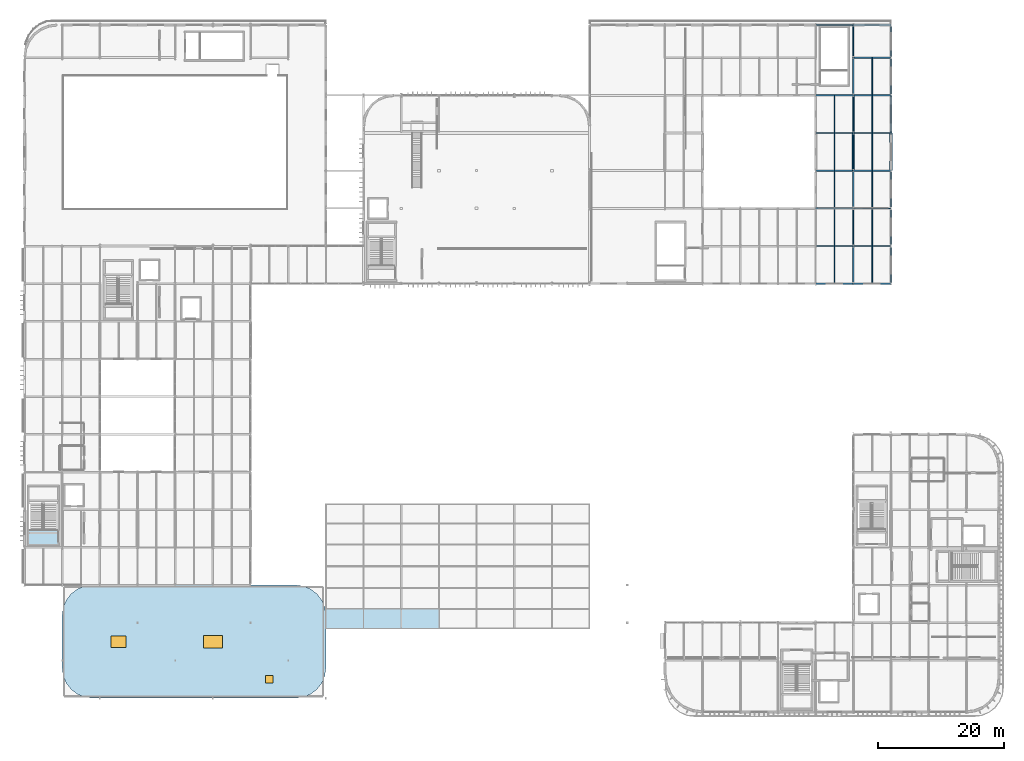
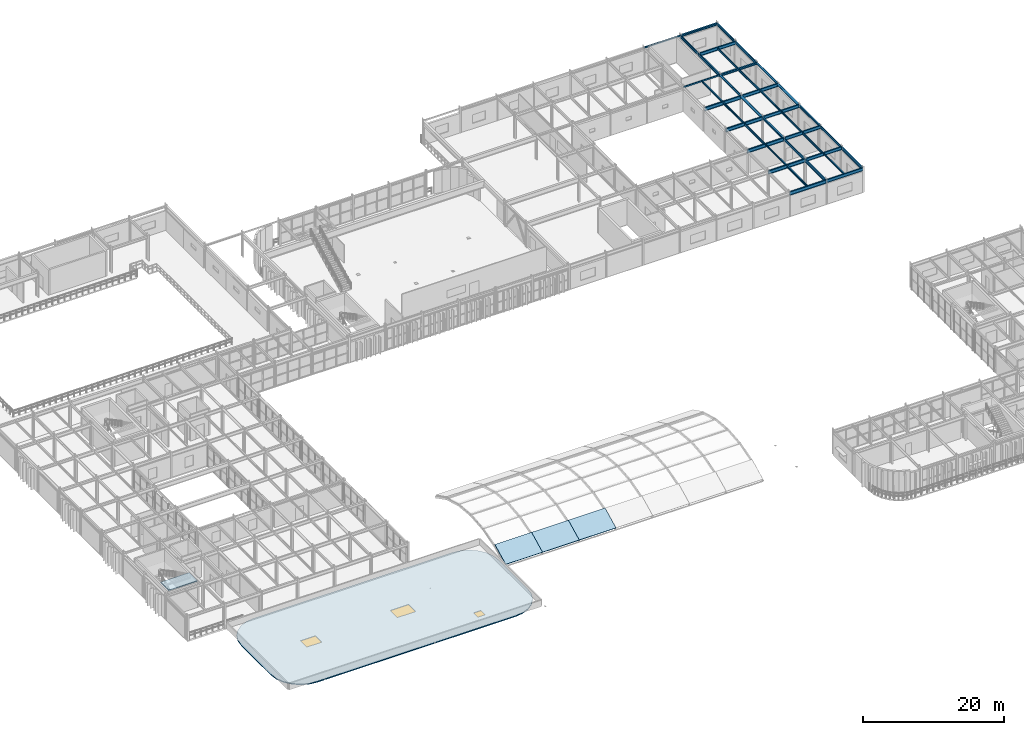
# One storey, part 45 of 84: 40 beams, 5 slabs, 2 windows, 1 door, 3 openings, 1 element without a shape of its own.
"""IFC4 building model written with IfcOpenShell, lengths in metres."""

from ifc_helpers import new_model, si_unit, direction, frame, origin, origin_2d, place, context, subcontext, project, spatial, polyline, rectangle, hollow_rectangle, hollow_circle, i_section, outline, extrude, material, layer, layer_set, material_profile, profile_set, type_object, element, fill, aggregate, save


model = new_model("IFC4")

# Units and contexts
model_context = context("Model", 3, precision=1e-05, world=origin(), true_north=direction((0.0, 1.0)))
body_context = subcontext(model_context, "Body", "Model", "MODEL_VIEW")
ifc_project = project(units=[si_unit("LENGTHUNIT", "METRE"), si_unit("AREAUNIT", "SQUARE_METRE"), si_unit("VOLUMEUNIT", "CUBIC_METRE"), si_unit("PLANEANGLEUNIT", "RADIAN"), si_unit("MASSUNIT", "GRAM", prefix="KILO")], contexts=[model_context])

# Site, building, storey
site_placement = place(None, origin())
site = spatial("IfcSite", under=ifc_project, at=site_placement, CompositionType="ELEMENT")
building_placement = place(site_placement, origin())
building = spatial("IfcBuilding", under=site, at=building_placement, Name="Varnakota Square Police Headquarters", CompositionType="ELEMENT")
storey_placement = place(building_placement, frame((0.0, 0.0, 13.5)))
storey = spatial("IfcBuildingStorey", under=building, at=storey_placement, Name="L03", CompositionType="ELEMENT", Elevation=13.5)

# Beams
ifc_material_1 = material(Name="Steel IS 2062 Grade 350", Category="steel")
ifc_material_profile_1 = material_profile(ifc_material_1, hollow_circle(Radius=0.161865234375, WallThickness=0.0126953125, at=origin_2d()), Name="CHS 323.9x12.7")
ifc_profile_set_1 = profile_set([ifc_material_profile_1], Name="Steel IS 2062 Grade 350")
beam_type_1 = type_object("IfcBeamType", Name="BM-ARC-CHS324", PredefinedType="BEAM", material=ifc_profile_set_1)
for number, where, z_axis, x_axis, name in (
    (1, (138.0, 93.0, 4.0380859375), (0.0, 1.0, 0.0), (-1.0, 0.0, 0.0), "BMG-L03-2724"),
    (2, (144.0, 93.0, 4.0380859375), (0.0, 1.0, 0.0), (-1.0, 0.0, 0.0), "BMG-L03-2738"),
):
    element("IfcBeam", number, at=place(storey_placement, frame(where, z_axis=z_axis, x_axis=x_axis)), inside=storey, type_object=beam_type_1, Name=name, PredefinedType="BEAM", context=body_context, shape_type="SweptSolid", body=[
        extrude(hollow_circle(Radius=0.161865234375, WallThickness=0.0126953125, at=origin_2d()), origin(), (0.0, 0.0, 1.0), 6.0),
    ])
ifc_material_profile_2 = material_profile(ifc_material_1, hollow_circle(Radius=0.203125, WallThickness=0.01611328125, at=origin_2d()), Name="CHS 406.4x16.0")
ifc_profile_set_2 = profile_set([ifc_material_profile_2], Name="Steel IS 2062 Grade 350")
beam_type_2 = type_object("IfcBeamType", Name="BM-ARC-CHS406", PredefinedType="BEAM", material=ifc_profile_set_2)
for number, where, z_axis, x_axis, name in (
    (3, (138.0, 87.0, 3.996826171875), (0.0, 1.0, 0.0), (-1.0, 0.0, 0.0), "BMG-L03-2723"),
    (4, (144.0, 87.0, 3.996826171875), (0.0, 1.0, 0.0), (-1.0, 0.0, 0.0), "BMG-L03-2737"),
):
    element("IfcBeam", number, at=place(storey_placement, frame(where, z_axis=z_axis, x_axis=x_axis)), inside=storey, type_object=beam_type_2, Name=name, PredefinedType="BEAM", context=body_context, shape_type="SweptSolid", body=[
        extrude(hollow_circle(Radius=0.203125, WallThickness=0.01611328125, at=origin_2d()), origin(), (0.0, 0.0, 1.0), 6.0),
    ])
ifc_material_profile_3 = material_profile(ifc_material_1, hollow_rectangle(XDim=0.14990234375, YDim=0.25, WallThickness=0.010009765625, InnerFilletRadius=0.010009765625, OuterFilletRadius=0.02001953125, at=origin_2d()), Name="RHS 250x150x10")
ifc_profile_set_3 = profile_set([ifc_material_profile_3], Name="Steel IS 2062 Grade 350")
beam_type_3 = type_object("IfcBeamType", Name="BM-CBEAM-RHS250", PredefinedType="BEAM", material=ifc_profile_set_3)
for number, where, z_axis, x_axis, name in (
    (5, (132.0, 99.0, 4.074951171875), (1.0, 0.0, 0.0), (0.0, 1.0, 0.0), "BMG-L03-2570"),
    (6, (132.0, 110.199951171875, 4.074951171875), (1.0, 0.0, 0.0), (0.0, 1.0, 0.0), "BMG-L03-2593"),
):
    element("IfcBeam", number, at=place(storey_placement, frame(where, z_axis=z_axis, x_axis=x_axis)), inside=storey, type_object=beam_type_3, Name=name, PredefinedType="BEAM", context=body_context, shape_type="SweptSolid", body=[
        extrude(hollow_rectangle(XDim=0.14990234375, YDim=0.25, WallThickness=0.010009765625, InnerFilletRadius=0.010009765625, OuterFilletRadius=0.02001953125, at=origin_2d()), origin(), (0.0, 0.0, 1.0), 6.0),
    ])
ifc_material_profile_4 = material_profile(ifc_material_1, i_section(OverallWidth=0.25, OverallDepth=0.35009765625, WebThickness=0.010009765625, FlangeThickness=0.01171875, FilletRadius=0.011962890625, at=origin_2d()), Name="ISHB 350")
ifc_profile_set_4 = profile_set([ifc_material_profile_4], Name="Steel IS 2062 Grade 350")
beam_type_4 = type_object("IfcBeamType", Name="BM-ISHB350", PredefinedType="BEAM", material=ifc_profile_set_4)
for number, where, z_axis, x_axis, name in (
    (7, (138.0, 99.0, 4.02490234375), (1.0, 0.0, 0.0), (0.0, 1.0, 0.0), "BMG-L03-2571"),
    (8, (138.0, 110.199951171875, 4.02490234375), (1.0, 0.0, 0.0), (0.0, 1.0, 0.0), "BMG-L03-2594"),
):
    element("IfcBeam", number, at=place(storey_placement, frame(where, z_axis=z_axis, x_axis=x_axis)), inside=storey, type_object=beam_type_4, Name=name, PredefinedType="BEAM", context=body_context, shape_type="SweptSolid", body=[
        extrude(i_section(OverallWidth=0.25, OverallDepth=0.35009765625, WebThickness=0.010009765625, FlangeThickness=0.01171875, FilletRadius=0.011962890625, at=origin_2d()), origin(), (0.0, 0.0, 1.0), 6.0),
    ])
ifc_material_profile_5 = material_profile(ifc_material_1, i_section(OverallWidth=0.139892578125, OverallDepth=0.300048828125, WebThickness=0.0078125, FlangeThickness=0.01318359375, FilletRadius=0.013916015625, at=origin_2d()), Name="ISMB 300")
ifc_profile_set_5 = profile_set([ifc_material_profile_5], Name="Steel IS 2062 Grade 350")
beam_type_5 = type_object("IfcBeamType", Name="BM-ISMB300", PredefinedType="JOIST", material=ifc_profile_set_5)
beam_1_placement = place(storey_placement, frame((135.0, 75.10302734375, 4.050048828125), z_axis=(0.0, 1.0, 0.0), x_axis=(-1.0, 0.0, 0.0)))
element("IfcBeam", 9, at=beam_1_placement, inside=storey, type_object=beam_type_5, Name="BMG-L03-2819", PredefinedType="JOIST", context=body_context, shape_type="SweptSolid", body=[
    extrude(i_section(OverallWidth=0.139892578125, OverallDepth=0.300048828125, WebThickness=0.0078125, FlangeThickness=0.01318359375, FilletRadius=0.013916015625, at=origin_2d()), origin(), (0.0, 0.0, 1.0), 5.7939453125),
])
beam_2_placement = place(storey_placement, frame((135.0, 93.10302734375, 4.050048828125), z_axis=(0.0, 1.0, 0.0), x_axis=(-1.0, 0.0, 0.0)))
element("IfcBeam", 10, at=beam_2_placement, inside=storey, type_object=beam_type_5, Name="BMG-L03-2822", PredefinedType="JOIST", context=body_context, shape_type="SweptSolid", body=[
    extrude(i_section(OverallWidth=0.139892578125, OverallDepth=0.300048828125, WebThickness=0.0078125, FlangeThickness=0.01318359375, FilletRadius=0.013916015625, at=origin_2d()), origin(), (0.0, 0.0, 1.0), 5.823974609375),
])
for number, where, z_axis, x_axis, name in (
    (11, (141.0, 69.093017578125, 4.050048828125), (0.0, 1.0, 0.0), (-1.0, 0.0, 0.0), "BMG-L03-2826"),
    (12, (141.0, 87.093017578125, 4.050048828125), (0.0, 1.0, 0.0), (-1.0, 0.0, 0.0), "BMG-L03-2829"),
):
    element("IfcBeam", number, at=place(storey_placement, frame(where, z_axis=z_axis, x_axis=x_axis)), inside=storey, type_object=beam_type_5, Name=name, PredefinedType="JOIST", context=body_context, shape_type="SweptSolid", body=[
        extrude(i_section(OverallWidth=0.139892578125, OverallDepth=0.300048828125, WebThickness=0.0078125, FlangeThickness=0.01318359375, FilletRadius=0.013916015625, at=origin_2d()), origin(), (0.0, 0.0, 1.0), 5.81396484375),
    ])
ifc_material_profile_6 = material_profile(ifc_material_1, i_section(OverallWidth=0.139892578125, OverallDepth=0.35009765625, WebThickness=0.008056640625, FlangeThickness=0.01416015625, FilletRadius=0.013916015625, at=origin_2d()), Name="ISMB 350")
ifc_profile_set_6 = profile_set([ifc_material_profile_6], Name="Steel IS 2062 Grade 350")
beam_type_6 = type_object("IfcBeamType", Name="BM-ISMB350", PredefinedType="JOIST", material=ifc_profile_set_6)
for number, where, z_axis, x_axis, name in (
    (13, (135.0, 69.10302734375, 4.02490234375), (0.0, 1.0, 0.0), (-1.0, 0.0, 0.0), "BMG-L03-2818"),
    (14, (135.0, 87.10302734375, 4.02490234375), (0.0, 1.0, 0.0), (-1.0, 0.0, 0.0), "BMG-L03-2821"),
):
    element("IfcBeam", number, at=place(storey_placement, frame(where, z_axis=z_axis, x_axis=x_axis)), inside=storey, type_object=beam_type_6, Name=name, PredefinedType="JOIST", context=body_context, shape_type="SweptSolid", body=[
        extrude(i_section(OverallWidth=0.139892578125, OverallDepth=0.35009765625, WebThickness=0.008056640625, FlangeThickness=0.01416015625, FilletRadius=0.013916015625, at=origin_2d()), origin(), (0.0, 0.0, 1.0), 5.7939453125),
    ])
beam_3_placement = place(storey_placement, frame((141.0, 81.093017578125, 4.02490234375), z_axis=(0.0, 1.0, 0.0), x_axis=(-1.0, 0.0, 0.0)))
element("IfcBeam", 15, at=beam_3_placement, inside=storey, type_object=beam_type_6, Name="BMG-L03-2828", PredefinedType="JOIST", context=body_context, shape_type="SweptSolid", body=[
    extrude(i_section(OverallWidth=0.139892578125, OverallDepth=0.35009765625, WebThickness=0.008056640625, FlangeThickness=0.01416015625, FilletRadius=0.013916015625, at=origin_2d()), origin(), (0.0, 0.0, 1.0), 5.81396484375),
])
beam_4_placement = place(storey_placement, frame((141.0, 99.123046875, 4.02490234375), z_axis=(0.0, 1.0, 0.0), x_axis=(-1.0, 0.0, 0.0)))
element("IfcBeam", 16, at=beam_4_placement, inside=storey, type_object=beam_type_6, Name="BMG-L03-2831", PredefinedType="JOIST", context=body_context, shape_type="SweptSolid", body=[
    extrude(i_section(OverallWidth=0.139892578125, OverallDepth=0.35009765625, WebThickness=0.008056640625, FlangeThickness=0.01416015625, FilletRadius=0.013916015625, at=origin_2d()), origin(), (0.0, 0.0, 1.0), 5.783935546875),
])
ifc_material_profile_7 = material_profile(ifc_material_1, i_section(OverallWidth=0.139892578125, OverallDepth=0.39990234375, WebThickness=0.0087890625, FlangeThickness=0.01611328125, FilletRadius=0.013916015625, at=origin_2d()), Name="ISMB 400")
ifc_profile_set_7 = profile_set([ifc_material_profile_7], Name="Steel IS 2062 Grade 350")
beam_type_7 = type_object("IfcBeamType", Name="BM-ISMB400", PredefinedType="JOIST", material=ifc_profile_set_7)
beam_5_placement = place(storey_placement, frame((135.0, 81.10302734375, 4.0), z_axis=(0.0, 1.0, 0.0), x_axis=(-1.0, 0.0, 0.0)))
element("IfcBeam", 17, at=beam_5_placement, inside=storey, type_object=beam_type_7, Name="BMG-L03-2820", PredefinedType="JOIST", context=body_context, shape_type="SweptSolid", body=[
    extrude(i_section(OverallWidth=0.139892578125, OverallDepth=0.39990234375, WebThickness=0.0087890625, FlangeThickness=0.01611328125, FilletRadius=0.013916015625, at=origin_2d()), origin(), (0.0, 0.0, 1.0), 5.7939453125),
])
beam_6_placement = place(storey_placement, frame((141.0, 75.093017578125, 4.0), z_axis=(0.0, 1.0, 0.0), x_axis=(-1.0, 0.0, 0.0)))
element("IfcBeam", 18, at=beam_6_placement, inside=storey, type_object=beam_type_7, Name="BMG-L03-2827", PredefinedType="JOIST", context=body_context, shape_type="SweptSolid", body=[
    extrude(i_section(OverallWidth=0.139892578125, OverallDepth=0.39990234375, WebThickness=0.0087890625, FlangeThickness=0.01611328125, FilletRadius=0.013916015625, at=origin_2d()), origin(), (0.0, 0.0, 1.0), 5.81396484375),
])
beam_7_placement = place(storey_placement, frame((141.0, 93.093017578125, 4.0), z_axis=(0.0, 1.0, 0.0), x_axis=(-1.0, 0.0, 0.0)))
element("IfcBeam", 19, at=beam_7_placement, inside=storey, type_object=beam_type_7, Name="BMG-L03-2830", PredefinedType="JOIST", context=body_context, shape_type="SweptSolid", body=[
    extrude(i_section(OverallWidth=0.139892578125, OverallDepth=0.39990234375, WebThickness=0.0087890625, FlangeThickness=0.01611328125, FilletRadius=0.013916015625, at=origin_2d()), origin(), (0.0, 0.0, 1.0), 5.783935546875),
])
ifc_material_profile_8 = material_profile(ifc_material_1, i_section(OverallWidth=0.14990234375, OverallDepth=0.449951171875, WebThickness=0.009521484375, FlangeThickness=0.017333984375, FilletRadius=0.014892578125, at=origin_2d()), Name="ISMB 450")
ifc_profile_set_8 = profile_set([ifc_material_profile_8], Name="Steel IS 2062 Grade 350")
beam_type_8 = type_object("IfcBeamType", Name="BM-ISMB450", PredefinedType="BEAM", material=ifc_profile_set_8)
beam_8_placement = place(storey_placement, frame((138.0, 75.0, 3.97509765625), z_axis=(0.0, 1.0, 0.0), x_axis=(-1.0, 0.0, 0.0)))
element("IfcBeam", 20, at=beam_8_placement, inside=storey, type_object=beam_type_8, Name="BMG-L03-2721", PredefinedType="BEAM", context=body_context, shape_type="SweptSolid", body=[
    extrude(i_section(OverallWidth=0.14990234375, OverallDepth=0.449951171875, WebThickness=0.009521484375, FlangeThickness=0.017333984375, FilletRadius=0.014892578125, at=origin_2d()), origin(), (0.0, 0.0, 1.0), 6.0),
])
beam_9_placement = place(storey_placement, frame((138.0, 105.0, 3.97509765625), z_axis=(0.0, 1.0, 0.0), x_axis=(-1.0, 0.0, 0.0)))
element("IfcBeam", 21, at=beam_9_placement, inside=storey, type_object=beam_type_8, Name="BMG-L03-2726", PredefinedType="BEAM", context=body_context, shape_type="SweptSolid", body=[
    extrude(i_section(OverallWidth=0.14990234375, OverallDepth=0.449951171875, WebThickness=0.009521484375, FlangeThickness=0.017333984375, FilletRadius=0.014892578125, at=origin_2d()), origin(), (0.0, 0.0, 1.0), 5.199951171875),
])
beam_10_placement = place(storey_placement, frame((144.0, 75.0, 3.97509765625), z_axis=(0.0, 1.0, 0.0), x_axis=(-1.0, 0.0, 0.0)))
element("IfcBeam", 22, at=beam_10_placement, inside=storey, type_object=beam_type_8, Name="BMG-L03-2735", PredefinedType="BEAM", context=body_context, shape_type="SweptSolid", body=[
    extrude(i_section(OverallWidth=0.14990234375, OverallDepth=0.449951171875, WebThickness=0.009521484375, FlangeThickness=0.017333984375, FilletRadius=0.014892578125, at=origin_2d()), origin(), (0.0, 0.0, 1.0), 6.0),
])
beam_11_placement = place(storey_placement, frame((144.0, 105.0, 3.97509765625), z_axis=(0.0, 1.0, 0.0), x_axis=(-1.0, 0.0, 0.0)))
element("IfcBeam", 23, at=beam_11_placement, inside=storey, type_object=beam_type_8, Name="BMG-L03-2740", PredefinedType="BEAM", context=body_context, shape_type="SweptSolid", body=[
    extrude(i_section(OverallWidth=0.14990234375, OverallDepth=0.449951171875, WebThickness=0.009521484375, FlangeThickness=0.017333984375, FilletRadius=0.014892578125, at=origin_2d()), origin(), (0.0, 0.0, 1.0), 5.199951171875),
])
ifc_material_profile_9 = material_profile(ifc_material_1, i_section(OverallWidth=0.179931640625, OverallDepth=0.5, WebThickness=0.01025390625, FlangeThickness=0.01708984375, FilletRadius=0.01708984375, at=origin_2d()), Name="ISMB 500")
ifc_profile_set_9 = profile_set([ifc_material_profile_9], Name="Steel IS 2062 Grade 350")
beam_type_9 = type_object("IfcBeamType", Name="BM-ISMB500", PredefinedType="BEAM", material=ifc_profile_set_9)
for number, where, z_axis, x_axis, name in (
    (24, (138.0, 69.0, 3.949951171875), (0.0, 1.0, 0.0), (-1.0, 0.0, 0.0), "BMG-L03-2720"),
    (25, (138.0, 99.0, 3.949951171875), (0.0, 1.0, 0.0), (-1.0, 0.0, 0.0), "BMG-L03-2725"),
    (26, (144.0, 69.0, 3.949951171875), (0.0, 1.0, 0.0), (-1.0, 0.0, 0.0), "BMG-L03-2734"),
    (27, (144.0, 99.0, 3.949951171875), (0.0, 1.0, 0.0), (-1.0, 0.0, 0.0), "BMG-L03-2739"),
):
    element("IfcBeam", number, at=place(storey_placement, frame(where, z_axis=z_axis, x_axis=x_axis)), inside=storey, type_object=beam_type_9, Name=name, PredefinedType="BEAM", context=body_context, shape_type="SweptSolid", body=[
        extrude(i_section(OverallWidth=0.179931640625, OverallDepth=0.5, WebThickness=0.01025390625, FlangeThickness=0.01708984375, FilletRadius=0.01708984375, at=origin_2d()), origin(), (0.0, 0.0, 1.0), 6.0),
    ])
ifc_material_profile_10 = material_profile(ifc_material_1, i_section(OverallWidth=0.18994140625, OverallDepth=0.550048828125, WebThickness=0.01123046875, FlangeThickness=0.019287109375, FilletRadius=0.01806640625, at=origin_2d()), Name="ISMB 550")
ifc_profile_set_10 = profile_set([ifc_material_profile_10], Name="Steel IS 2062 Grade 350")
beam_type_10 = type_object("IfcBeamType", Name="BM-ISMB550", PredefinedType="BEAM", material=ifc_profile_set_10)
for number, where, z_axis, x_axis, name in (
    (28, (138.0, 69.0, 3.925048828125), (1.0, 0.0, 0.0), (0.0, 1.0, 0.0), "BMG-L03-2529"),
    (29, (138.0, 75.0, 3.925048828125), (1.0, 0.0, 0.0), (0.0, 1.0, 0.0), "BMG-L03-2541"),
    (30, (138.0, 81.0, 3.925048828125), (1.0, 0.0, 0.0), (0.0, 1.0, 0.0), "BMG-L03-2549"),
    (31, (138.0, 87.0, 3.925048828125), (1.0, 0.0, 0.0), (0.0, 1.0, 0.0), "BMG-L03-2554"),
    (32, (138.0, 93.0, 3.925048828125), (1.0, 0.0, 0.0), (0.0, 1.0, 0.0), "BMG-L03-2557"),
    (33, (138.0, 105.0, 3.925048828125), (1.0, 0.0, 0.0), (0.0, 1.0, 0.0), "BMG-L03-2580"),
):
    element("IfcBeam", number, at=place(storey_placement, frame(where, z_axis=z_axis, x_axis=x_axis)), inside=storey, type_object=beam_type_10, Name=name, PredefinedType="BEAM", context=body_context, shape_type="SweptSolid", body=[
        extrude(i_section(OverallWidth=0.18994140625, OverallDepth=0.550048828125, WebThickness=0.01123046875, FlangeThickness=0.019287109375, FilletRadius=0.01806640625, at=origin_2d()), origin(), (0.0, 0.0, 1.0), 6.0),
    ])
ifc_material_profile_11 = material_profile(ifc_material_1, i_section(OverallWidth=0.2099609375, OverallDepth=0.60009765625, WebThickness=0.011962890625, FlangeThickness=0.020751953125, FilletRadius=0.02001953125, at=origin_2d()), Name="ISMB 600")
ifc_profile_set_11 = profile_set([ifc_material_profile_11], Name="Steel IS 2062 Grade 350")
beam_type_11 = type_object("IfcBeamType", Name="BM-ISMB600", PredefinedType="BEAM", material=ifc_profile_set_11)
for number, where, z_axis, x_axis, name in (
    (34, (132.0, 69.0, 3.89990234375), (1.0, 0.0, 0.0), (0.0, 1.0, 0.0), "BMG-L03-2528"),
    (35, (132.0, 75.0, 3.89990234375), (1.0, 0.0, 0.0), (0.0, 1.0, 0.0), "BMG-L03-2540"),
    (36, (132.0, 81.0, 3.89990234375), (1.0, 0.0, 0.0), (0.0, 1.0, 0.0), "BMG-L03-2548"),
    (37, (132.0, 87.0, 3.89990234375), (1.0, 0.0, 0.0), (0.0, 1.0, 0.0), "BMG-L03-2553"),
    (38, (132.0, 93.0, 3.89990234375), (1.0, 0.0, 0.0), (0.0, 1.0, 0.0), "BMG-L03-2556"),
):
    element("IfcBeam", number, at=place(storey_placement, frame(where, z_axis=z_axis, x_axis=x_axis)), inside=storey, type_object=beam_type_11, Name=name, PredefinedType="BEAM", context=body_context, shape_type="SweptSolid", body=[
        extrude(i_section(OverallWidth=0.2099609375, OverallDepth=0.60009765625, WebThickness=0.011962890625, FlangeThickness=0.020751953125, FilletRadius=0.02001953125, at=origin_2d()), origin(), (0.0, 0.0, 1.0), 6.0),
    ])
ifc_material_profile_12 = material_profile(ifc_material_1, i_section(OverallWidth=0.199951171875, OverallDepth=0.39990234375, WebThickness=0.008544921875, FlangeThickness=0.012939453125, FilletRadius=0.012939453125, at=origin_2d()), Name="ISWB 400")
ifc_profile_set_12 = profile_set([ifc_material_profile_12], Name="Steel IS 2062 Grade 350")
beam_type_12 = type_object("IfcBeamType", Name="BM-ISWB400", PredefinedType="BEAM", material=ifc_profile_set_12)
for number, where, z_axis, x_axis, name in (
    (39, (138.0, 81.0, 4.0), (0.0, 1.0, 0.0), (-1.0, 0.0, 0.0), "BMG-L03-2722"),
    (40, (144.0, 81.0, 4.0), (0.0, 1.0, 0.0), (-1.0, 0.0, 0.0), "BMG-L03-2736"),
):
    element("IfcBeam", number, at=place(storey_placement, frame(where, z_axis=z_axis, x_axis=x_axis)), inside=storey, type_object=beam_type_12, Name=name, PredefinedType="BEAM", context=body_context, shape_type="SweptSolid", body=[
        extrude(i_section(OverallWidth=0.199951171875, OverallDepth=0.39990234375, WebThickness=0.008544921875, FlangeThickness=0.012939453125, FilletRadius=0.012939453125, at=origin_2d()), origin(), (0.0, 0.0, 1.0), 6.0),
    ])

# Slab, openings, door, windows
ifc_material_2 = material(Name="Concrete M40", Category="concrete")
ifc_layer_1 = layer(ifc_material_2, 0.159912109375, Name="Concrete M40")
ifc_layer_set_1 = layer_set([ifc_layer_1], Name="Concrete M40")
slab_type_1 = type_object("IfcSlabType", Name="SL-RF-160", PredefinedType="ROOF", material=ifc_layer_set_1)
slab_1_placement = place(storey_placement, frame((0.0, 0.0, -0.159912109375)))
slab_1 = element("IfcSlab", 41, at=slab_1_placement, inside=storey, type_object=slab_type_1, Name="L03 Public Front Wing Roof Slab", PredefinedType="ROOF", context=body_context, shape_type="SweptSolid", body=[
    extrude(outline(polyline([(12.0, 7.800048828125), (12.16357421875, 6.5576171875), (12.64306640625, 5.39990234375), (13.406005859375, 4.406005859375), (14.39990234375, 3.64306640625), (15.5576171875, 3.16357421875), (16.800048828125, 3.0), (49.199951171875, 3.0), (50.4423828125, 3.16357421875), (51.60009765625, 3.64306640625), (52.593994140625, 4.406005859375), (53.35693359375, 5.39990234375), (53.83642578125, 6.5576171875), (54.0, 7.800048828125), (54.0, 16.199951171875), (53.83642578125, 17.4423828125), (53.35693359375, 18.60009765625), (52.593994140625, 19.593994140625), (51.60009765625, 20.35693359375), (50.4423828125, 20.83642578125), (49.199951171875, 21.0), (16.800048828125, 21.0), (15.5576171875, 20.83642578125), (14.39990234375, 20.35693359375), (13.406005859375, 19.593994140625), (12.64306640625, 18.60009765625), (12.16357421875, 17.4423828125), (12.0, 16.199951171875), (12.0, 7.800048828125)])), origin(), (0.0, 0.0, 1.0), 0.159912109375),
])
opening_1_placement = place(slab_1_placement, frame((21.0, 12.0, -0.010009765625)))
opening_1 = element("IfcOpeningElement", 42, at=opening_1_placement, cuts=slab_1, Name="Opening SK01", PredefinedType="OPENING", context=body_context, shape_type="SweptSolid", body=[
    extrude(rectangle(XDim=2.39990234375, YDim=1.800048828125, at=origin_2d()), origin(), (0.0, 0.0, 1.0), 0.179931640625),
])
opening_2_placement = place(slab_1_placement, frame((36.0, 12.0, -0.010009765625)))
opening_2 = element("IfcOpeningElement", 43, at=opening_2_placement, cuts=slab_1, Name="Opening SK02", PredefinedType="OPENING", context=body_context, shape_type="SweptSolid", body=[
    extrude(rectangle(XDim=3.0, YDim=2.0, at=origin_2d()), origin(), (0.0, 0.0, 1.0), 0.179931640625),
])
opening_3_placement = place(slab_1_placement, frame((45.0, 6.0, -0.010009765625)))
opening_3 = element("IfcOpeningElement", 44, at=opening_3_placement, cuts=slab_1, Name="Opening RH02", PredefinedType="OPENING", context=body_context, shape_type="SweptSolid", body=[
    extrude(rectangle(XDim=1.199951171875, YDim=1.199951171875, at=origin_2d()), origin(), (0.0, 0.0, 1.0), 0.179931640625),
])
ifc_material_3 = material(Name="Insulated Aluminium Roof Access Hatch", Category="aluminium")
door_type = type_object("IfcDoorType", Name="DR-HTCH-120", OperationType="NOTDEFINED", PredefinedType="TRAPDOOR", material=ifc_material_3)
door_placement = place(opening_3_placement, frame((0.0, 0.0, 0.06494140625)))
door = element("IfcDoor", 45, at=door_placement, inside=storey, type_object=door_type, Name="Roof access hatch RH02", OperationType="SINGLE_SWING_LEFT", OverallHeight=1.199951171875, OverallWidth=1.199951171875, PredefinedType="TRAPDOOR", context=body_context, shape_type="SweptSolid", body=[
    extrude(rectangle(XDim=1.199951171875, YDim=1.199951171875, at=origin_2d()), origin(), (0.0, 0.0, 1.0), 0.050048828125),
])
fill(opening_3, door)
ifc_material_4 = material(Name="Thermally Broken Aluminium Double-Glazed Window", Category="aluminium")
window_type_1 = type_object("IfcWindowType", Name="SKY-01", PartitioningType="SINGLE_PANEL", PredefinedType="SKYLIGHT", material=ifc_material_4)
window_1_placement = place(opening_1_placement, frame((0.0, 0.0, 0.06494140625)))
window_1 = element("IfcWindow", 46, at=window_1_placement, inside=storey, type_object=window_type_1, Name="Roof skylight SKY-L03-01", OverallHeight=1.800048828125, OverallWidth=2.39990234375, PartitioningType="SINGLE_PANEL", PredefinedType="SKYLIGHT", context=body_context, shape_type="SweptSolid", body=[
    extrude(rectangle(XDim=2.39990234375, YDim=1.800048828125, at=origin_2d()), origin(), (0.0, 0.0, 1.0), 0.050048828125),
])
fill(opening_1, window_1)
window_type_2 = type_object("IfcWindowType", Name="SKY-02", PartitioningType="SINGLE_PANEL", PredefinedType="SKYLIGHT", material=ifc_material_4)
window_2_placement = place(opening_2_placement, frame((0.0, 0.0, 0.06494140625)))
window_2 = element("IfcWindow", 47, at=window_2_placement, inside=storey, type_object=window_type_2, Name="Roof skylight SKY-L03-02", OverallHeight=2.0, OverallWidth=3.0, PartitioningType="SINGLE_PANEL", PredefinedType="SKYLIGHT", context=body_context, shape_type="SweptSolid", body=[
    extrude(rectangle(XDim=3.0, YDim=2.0, at=origin_2d()), origin(), (0.0, 0.0, 1.0), 0.050048828125),
])
fill(opening_2, window_2)

# Slabs
ifc_layer_2 = layer(ifc_material_2, 0.139892578125, Name="Concrete M40")
ifc_layer_set_2 = layer_set([ifc_layer_2], Name="Concrete M40")
slab_type_2 = type_object("IfcSlabType", Name="SL-VLT-140", PredefinedType="ROOF", material=ifc_layer_set_2)
for number, where, z_axis, x_axis, name in (
    (48, (54.0, 14.097900390625, 0.471923828125), (0.0, -0.447241719267, 0.894413128564), (1.0, 0.0, 0.0), "Barrel vault roof deck strip V1-B01-S03"),
    (49, (60.0, 14.097900390625, 0.471923828125), (0.0, -0.447241719267, 0.894413128564), (1.0, 0.0, 0.0), "Barrel vault roof deck strip V1-B02-S03"),
    (50, (66.0, 14.097900390625, 0.471923828125), (0.0, -0.447241719267, 0.894413128564), (1.0, 0.0, 0.0), "Barrel vault roof deck strip V1-B03-S03"),
):
    element("IfcSlab", number, at=place(storey_placement, frame(where, z_axis=z_axis, x_axis=x_axis)), inside=storey, type_object=slab_type_2, Name=name, PredefinedType="ROOF", context=body_context, shape_type="SweptSolid", body=[
        extrude(outline(polyline([(0.0, 0.0), (6.0, 0.0), (6.0, 3.472347164237344), (0.0, 3.472347164237344), (0.0, 0.0)])), origin(), (0.0, 0.0, -1.0), 0.139892578125),
    ])

# Stair, slab
stair_type = type_object("IfcStairType", Name="STR-DOG-2000", PredefinedType="USERDEFINED", material=ifc_material_2)
stair_placement = place(storey_placement, origin())
stair = element("IfcStair", 51, at=stair_placement, inside=storey, type_object=stair_type, Name="Protected exit stair ST4 (L03)", ObjectType="TWO_RETURN_STAIR", PredefinedType="USERDEFINED")
ifc_layer_3 = layer(ifc_material_2, 0.166015625, Name="Concrete M40")
ifc_layer_set_3 = layer_set([ifc_layer_3], Name="Concrete M40")
slab_type_3 = type_object("IfcSlabType", Name="SLB-LND-2000", PredefinedType="LANDING", material=ifc_layer_set_3)
slab_2_placement = place(storey_placement, frame((0.0, 0.0, 4.333984375)))
slab_2 = element("IfcSlab", 52, at=slab_2_placement, type_object=slab_type_3, Name="ST4-L03 landing 2", PredefinedType="LANDING", context=body_context, shape_type="SweptSolid", body=[
    extrude(outline(polyline([(6.659912109375, 27.4599609375), (11.340087890625, 27.4599609375), (11.340087890625, 29.75), (6.659912109375, 29.75), (6.659912109375, 27.4599609375)])), origin(), (0.0, 0.0, 1.0), 0.166015625),
])
aggregate(stair, [slab_2])

save(model, "model.ifc")
